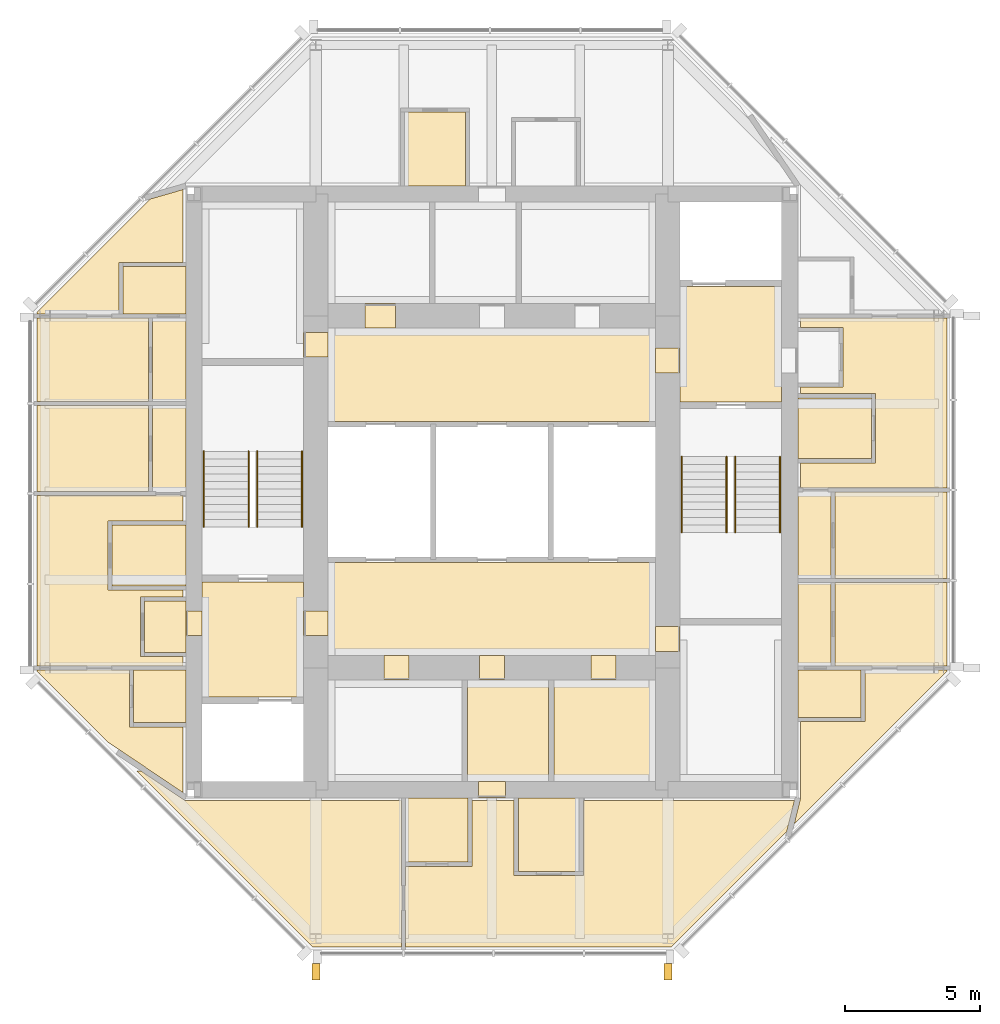
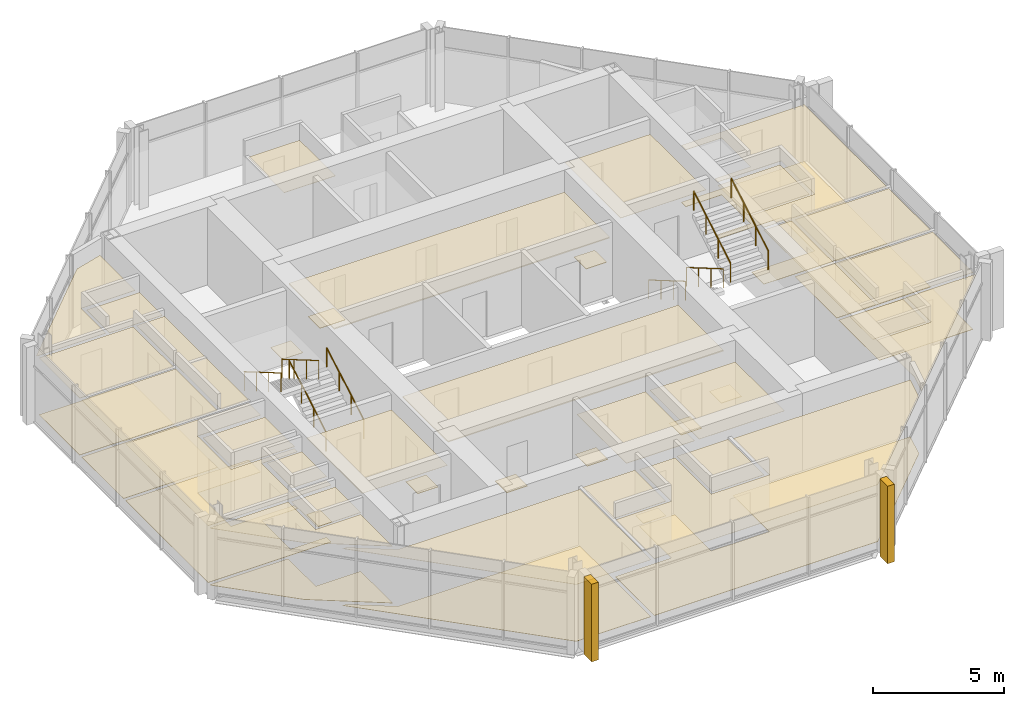
# One storey, part 8 of 9: 49 coverings, 8 railings.
"""IFC4 building model written with IfcOpenShell, lengths in metres."""

from ifc_helpers import new_model, si_unit, direction, frame, origin, origin_2d, place, context, subcontext, project, spatial, polyline, rectangle, circle, outline, extrude, material, layer, layer_set, type_object, element, save


model = new_model("IFC4")

# Units and contexts
model_context = context("Model", 3, precision=1e-05, world=origin(), true_north=direction((0.0, 1.0)))
body_context = subcontext(model_context, "Body", "Model", "MODEL_VIEW")
ifc_project = project(units=[si_unit("LENGTHUNIT", "METRE"), si_unit("AREAUNIT", "SQUARE_METRE"), si_unit("VOLUMEUNIT", "CUBIC_METRE"), si_unit("PLANEANGLEUNIT", "RADIAN"), si_unit("MASSUNIT", "GRAM", prefix="KILO")], contexts=[model_context])

# Site, building, storey
site_placement = place(None, origin())
site = spatial("IfcSite", under=ifc_project, at=site_placement, CompositionType="ELEMENT")
building_placement = place(site_placement, origin())
building = spatial("IfcBuilding", under=site, at=building_placement, Name="Trevanion Tower", CompositionType="ELEMENT")
storey_placement = place(building_placement, frame((0.0, 0.0, 288.39990234375)))
storey = spatial("IfcBuildingStorey", under=building, at=storey_placement, Name="L71", CompositionType="ELEMENT", Elevation=288.39990234375)

# Coverings
ifc_material_1 = material(Name="Fibrous plaster coffers on suspended steel grid", Category="steel")
ifc_layer_1 = layer(ifc_material_1, 0.050048828125)
ifc_layer_set_1 = layer_set([ifc_layer_1], Name="CL1 coffered fibrous plaster ceiling 50")
covering_type_1 = type_object("IfcCoveringType", Name="CL1 coffered fibrous plaster ceiling 50", PredefinedType="CEILING", material=ifc_layer_set_1)
covering_1_placement = place(storey_placement, frame((0.0, 0.0, 2.530029296875)))
element("IfcCovering", 1, at=covering_1_placement, inside=storey, type_object=covering_type_1, Name="CL1 L71-LBN", PredefinedType="CEILING", context=body_context, shape_type="SweptSolid", body=[
    extrude(outline(polyline([(6.050048828125, 2.60009765625), (6.050048828125, 6.050048828125), (-6.050048828125, 6.050048828125), (-6.050048828125, 2.60009765625), (6.050048828125, 2.60009765625)])), origin(), (0.0, 0.0, 1.0), 0.050048828125),
])
covering_2_placement = place(storey_placement, frame((0.0, 0.0, 2.530029296875)))
element("IfcCovering", 2, at=covering_2_placement, inside=storey, type_object=covering_type_1, Name="CL1 L71-LBS", PredefinedType="CEILING", context=body_context, shape_type="SweptSolid", body=[
    extrude(outline(polyline([(6.050048828125, -6.050048828125), (6.050048828125, -2.60009765625), (-6.050048828125, -2.60009765625), (-6.050048828125, -6.050048828125), (6.050048828125, -6.050048828125)])), origin(), (0.0, 0.0, 1.0), 0.050048828125),
])
ifc_material_2 = material(Name="Mineral fibre acoustic tiles in exposed grid", Category="mineral fibre")
ifc_layer_2 = layer(ifc_material_2, 0.02001953125)
ifc_layer_set_2 = layer_set([ifc_layer_2], Name="CL2 acoustic tile ceiling 20")
covering_type_2 = type_object("IfcCoveringType", Name="CL2 acoustic tile ceiling 20", PredefinedType="CEILING", material=ifc_layer_set_2)
covering_3_placement = place(storey_placement, frame((0.0, 0.0, 2.56005859375)))
element("IfcCovering", 3, at=covering_3_placement, inside=storey, type_object=covering_type_2, Name="CL2 L71-CSC", PredefinedType="CEILING", context=body_context, shape_type="SweptSolid", body=[
    extrude(outline(polyline([(2.10009765625, -10.699951171875), (2.10009765625, -6.949951171875), (-0.89990234375, -6.949951171875), (-0.89990234375, -10.699951171875), (2.10009765625, -10.699951171875)])), origin(), (0.0, 0.0, 1.0), 0.02001953125),
])
ifc_material_3 = material(Name="Gypsum plasterboard on suspended metal furring", Category="gypsum")
ifc_layer_3 = layer(ifc_material_3, 0.012939453125)
ifc_layer_set_3 = layer_set([ifc_layer_3], Name="CL3 plasterboard ceiling 13")
covering_type_3 = type_object("IfcCoveringType", Name="CL3 plasterboard ceiling 13", PredefinedType="CEILING", material=ifc_layer_set_3)
covering_4_placement = place(storey_placement, frame((0.0, 0.0, 2.7001953125)))
element("IfcCovering", 4, at=covering_4_placement, inside=storey, type_object=covering_type_3, Name="CL3 L71-FV1", PredefinedType="CEILING", context=body_context, shape_type="SweptSolid", body=[
    extrude(outline(polyline([(10.699951171875, 3.324951171875), (10.699951171875, 7.574951171875), (6.949951171875, 7.574951171875), (6.949951171875, 3.324951171875), (10.699951171875, 3.324951171875)])), origin(), (0.0, 0.0, 1.0), 0.012939453125),
])
covering_5_placement = place(storey_placement, frame((0.0, 0.0, 2.7001953125)))
element("IfcCovering", 5, at=covering_5_placement, inside=storey, type_object=covering_type_3, Name="CL3 L71-FV2", PredefinedType="CEILING", context=body_context, shape_type="SweptSolid", body=[
    extrude(outline(polyline([(-10.699951171875, -3.324951171875), (-10.699951171875, -7.574951171875), (-6.949951171875, -7.574951171875), (-6.949951171875, -3.324951171875), (-10.699951171875, -3.324951171875)])), origin(), (0.0, 0.0, 1.0), 0.012939453125),
])
covering_6_placement = place(storey_placement, frame((0.0, 0.0, 2.567138671875)))
element("IfcCovering", 6, at=covering_6_placement, inside=storey, type_object=covering_type_3, Name="CL3 L71-RSS", PredefinedType="CEILING", context=body_context, shape_type="SweptSolid", body=[
    extrude(outline(polyline([(6.050048828125, -10.699951171875), (6.050048828125, -6.949951171875), (2.300048828125, -6.949951171875), (2.300048828125, -10.699951171875), (6.050048828125, -10.699951171875)])), origin(), (0.0, 0.0, 1.0), 0.012939453125),
])
covering_7_placement = place(storey_placement, frame((0.0, 0.0, 2.64599609375)))
element("IfcCovering", 7, at=covering_7_placement, inside=storey, type_object=covering_type_3, Name="CL3 L71-REH", PredefinedType="CEILING", context=body_context, shape_type="SweptSolid", body=[
    extrude(outline(polyline([(12.52490234375, -6.425048828125), (12.52490234375, -0.010009765625), (11.300048828125, -0.010009765625), (11.300048828125, -6.425048828125), (12.52490234375, -6.425048828125)])), origin(), (0.0, 0.0, 1.0), 0.01318359375),
])
covering_8_placement = place(storey_placement, frame((0.0, 0.0, 2.64111328125)))
element("IfcCovering", 8, at=covering_8_placement, inside=storey, type_object=covering_type_3, Name="CL3 L71-RED", PredefinedType="CEILING", context=body_context, shape_type="SweptSolid", body=[
    extrude(outline(polyline([(11.16552734375, -12.2587890625), (11.39990234375, -11.312255859375), (11.39990234375, -8.47509765625), (13.77490234375, -8.47509765625), (13.77490234375, -6.574951171875), (16.800048828125, -6.574951171875), (16.800048828125, -6.624267578125), (11.16552734375, -12.2587890625)])), origin(), (0.0, 0.0, 1.0), 0.012939453125),
])
covering_9_placement = place(storey_placement, frame((0.0, 0.0, 2.64111328125)))
element("IfcCovering", 9, at=covering_9_placement, inside=storey, type_object=covering_type_3, Name="CL3 L71-REB", PredefinedType="CEILING", context=body_context, shape_type="SweptSolid", body=[
    extrude(outline(polyline([(12.675048828125, -6.425048828125), (12.675048828125, -3.341064453125), (16.800048828125, -3.341064453125), (16.800048828125, -6.425048828125), (12.675048828125, -6.425048828125)])), origin(), (0.0, 0.0, 1.0), 0.012939453125),
])
covering_10_placement = place(storey_placement, frame((0.0, 0.0, 2.64599609375)))
element("IfcCovering", 10, at=covering_10_placement, inside=storey, type_object=covering_type_3, Name="CL3 L71-REB2", PredefinedType="CEILING", context=body_context, shape_type="SweptSolid", body=[
    extrude(outline(polyline([(12.675048828125, -3.19091796875), (12.675048828125, -0.010009765625), (16.800048828125, -0.010009765625), (16.800048828125, -3.19091796875), (12.675048828125, -3.19091796875)])), origin(), (0.0, 0.0, 1.0), 0.01318359375),
])
covering_11_placement = place(storey_placement, frame((0.0, 0.0, 2.64111328125)))
element("IfcCovering", 11, at=covering_11_placement, inside=storey, type_object=covering_type_3, Name="CL3 L71-REL", PredefinedType="CEILING", context=body_context, shape_type="SweptSolid", body=[
    extrude(outline(polyline([(11.39990234375, 0.139892578125), (11.39990234375, 1.074951171875), (14.175048828125, 1.074951171875), (14.175048828125, 3.625), (11.39990234375, 3.625), (11.39990234375, 3.875), (12.97509765625, 3.875), (12.97509765625, 6.074951171875), (11.39990234375, 6.074951171875), (11.39990234375, 6.425048828125), (16.800048828125, 6.425048828125), (16.800048828125, 0.139892578125), (11.39990234375, 0.139892578125)])), origin(), (0.0, 0.0, 1.0), 0.012939453125),
])
covering_12_placement = place(storey_placement, frame((0.0, 0.0, 2.7001953125)))
element("IfcCovering", 12, at=covering_12_placement, inside=storey, type_object=covering_type_3, Name="CL3 L71-RWE", PredefinedType="CEILING", context=body_context, shape_type="SweptSolid", body=[
    extrude(outline(polyline([(-12.824951171875, -4.02490234375), (-12.824951171875, -5.925048828125), (-11.300048828125, -5.925048828125), (-11.300048828125, -4.02490234375), (-12.824951171875, -4.02490234375)])), origin(), (0.0, 0.0, 1.0), 0.012939453125),
])
covering_13_placement = place(storey_placement, frame((0.0, 0.0, 2.64599609375)))
element("IfcCovering", 13, at=covering_13_placement, inside=storey, type_object=covering_type_3, Name="CL3 L71-RWH", PredefinedType="CEILING", context=body_context, shape_type="SweptSolid", body=[
    extrude(outline(polyline([(-12.52490234375, 6.425048828125), (-12.52490234375, 0.010009765625), (-11.300048828125, 0.010009765625), (-11.300048828125, 6.425048828125), (-12.52490234375, 6.425048828125)])), origin(), (0.0, 0.0, 1.0), 0.01318359375),
])
covering_14_placement = place(storey_placement, frame((0.0, 0.0, 2.64111328125)))
element("IfcCovering", 14, at=covering_14_placement, inside=storey, type_object=covering_type_3, Name="CL3 L71-RWD", PredefinedType="CEILING", context=body_context, shape_type="SweptSolid", body=[
    extrude(outline(polyline([(-12.606689453125, 10.817626953125), (-11.39990234375, 11.1669921875), (-11.39990234375, 8.47509765625), (-13.77490234375, 8.47509765625), (-13.77490234375, 6.574951171875), (-16.800048828125, 6.574951171875), (-16.800048828125, 6.624267578125), (-12.606689453125, 10.817626953125)])), origin(), (0.0, 0.0, 1.0), 0.012939453125),
])
covering_15_placement = place(storey_placement, frame((0.0, 0.0, 2.64111328125)))
element("IfcCovering", 15, at=covering_15_placement, inside=storey, type_object=covering_type_3, Name="CL3 L71-RWB", PredefinedType="CEILING", context=body_context, shape_type="SweptSolid", body=[
    extrude(outline(polyline([(-12.675048828125, 6.425048828125), (-12.675048828125, 3.341064453125), (-16.800048828125, 3.341064453125), (-16.800048828125, 6.425048828125), (-12.675048828125, 6.425048828125)])), origin(), (0.0, 0.0, 1.0), 0.012939453125),
])
covering_16_placement = place(storey_placement, frame((0.0, 0.0, 2.64599609375)))
element("IfcCovering", 16, at=covering_16_placement, inside=storey, type_object=covering_type_3, Name="CL3 L71-RWB2", PredefinedType="CEILING", context=body_context, shape_type="SweptSolid", body=[
    extrude(outline(polyline([(-12.675048828125, 3.19091796875), (-12.675048828125, 0.010009765625), (-16.800048828125, 0.010009765625), (-16.800048828125, 3.19091796875), (-12.675048828125, 3.19091796875)])), origin(), (0.0, 0.0, 1.0), 0.01318359375),
])
covering_17_placement = place(storey_placement, frame((0.0, 0.0, 2.64111328125)))
element("IfcCovering", 17, at=covering_17_placement, inside=storey, type_object=covering_type_3, Name="CL3 L71-RWL", PredefinedType="CEILING", context=body_context, shape_type="SweptSolid", body=[
    extrude(outline(polyline([(-11.39990234375, -0.139892578125), (-11.39990234375, -1.074951171875), (-14.175048828125, -1.074951171875), (-14.175048828125, -3.625), (-11.39990234375, -3.625), (-11.39990234375, -3.875), (-12.97509765625, -3.875), (-12.97509765625, -6.074951171875), (-11.39990234375, -6.074951171875), (-11.39990234375, -6.425048828125), (-16.800048828125, -6.425048828125), (-16.800048828125, -0.139892578125), (-11.39990234375, -0.139892578125)])), origin(), (0.0, 0.0, 1.0), 0.012939453125),
])
covering_18_placement = place(storey_placement, frame((0.0, 0.0, 2.64111328125)))
element("IfcCovering", 18, at=covering_18_placement, inside=storey, type_object=covering_type_3, Name="CL3 L71-RWB3", PredefinedType="CEILING", context=body_context, shape_type="SweptSolid", body=[
    extrude(outline(polyline([(-13.375, -6.574951171875), (-13.375, -8.675048828125), (-11.39990234375, -8.675048828125), (-11.39990234375, -11.112060546875), (-14.197021484375, -9.227294921875), (-16.800048828125, -6.624267578125), (-16.800048828125, -6.574951171875), (-13.375, -6.574951171875)])), origin(), (0.0, 0.0, 1.0), 0.012939453125),
])
covering_19_placement = place(storey_placement, frame((0.0, 0.0, 2.64111328125)))
element("IfcCovering", 19, at=covering_19_placement, inside=storey, type_object=covering_type_3, Name="CL3 L71-RSB", PredefinedType="CEILING", context=body_context, shape_type="SweptSolid", body=[
    extrude(outline(polyline([(-12.962890625, -10.300048828125), (-11.33056640625, -11.39990234375), (-3.341064453125, -11.39990234375), (-3.341064453125, -16.800048828125), (-6.624267578125, -16.800048828125), (-13.124267578125, -10.300048828125), (-12.962890625, -10.300048828125)])), origin(), (0.0, 0.0, 1.0), 0.012939453125),
])
covering_20_placement = place(storey_placement, frame((0.0, 0.0, 2.64111328125)))
element("IfcCovering", 20, at=covering_20_placement, inside=storey, type_object=covering_type_3, Name="CL3 L71-RSL", PredefinedType="CEILING", context=body_context, shape_type="SweptSolid", body=[
    extrude(outline(polyline([(10.8916015625, -12.53271484375), (6.624267578125, -16.800048828125), (-3.19091796875, -16.800048828125), (-3.19091796875, -13.824951171875), (-0.72509765625, -13.824951171875), (-0.72509765625, -11.39990234375), (0.824951171875, -11.39990234375), (0.824951171875, -14.175048828125), (3.375, -14.175048828125), (3.375, -11.39990234375), (11.172119140625, -11.39990234375), (10.8916015625, -12.53271484375)])), origin(), (0.0, 0.0, 1.0), 0.012939453125),
])
ifc_material_4 = material(Name="Moisture-resistant gypsum board on suspended metal furring", Category="gypsum")
ifc_layer_4 = layer(ifc_material_4, 0.01611328125)
ifc_layer_set_4 = layer_set([ifc_layer_4], Name="CL4 moisture-resistant board ceiling 16")
covering_type_4 = type_object("IfcCoveringType", Name="CL4 moisture-resistant board ceiling 16", PredefinedType="CEILING", material=ifc_layer_set_4)
covering_21_placement = place(storey_placement, frame((0.0, 0.0, 2.60009765625)))
element("IfcCovering", 21, at=covering_21_placement, inside=storey, type_object=covering_type_4, Name="CL4 L71-REK", PredefinedType="CEILING", context=body_context, shape_type="SweptSolid", body=[
    extrude(outline(polyline([(14.02490234375, 1.22509765625), (14.02490234375, 3.47509765625), (11.300048828125, 3.47509765625), (11.300048828125, 1.22509765625), (14.02490234375, 1.22509765625)])), origin(), (0.0, 0.0, 1.0), 0.01611328125),
])
covering_22_placement = place(storey_placement, frame((0.0, 0.0, 2.60009765625)))
element("IfcCovering", 22, at=covering_22_placement, inside=storey, type_object=covering_type_4, Name="CL4 L71-RET", PredefinedType="CEILING", context=body_context, shape_type="SweptSolid", body=[
    extrude(outline(polyline([(13.625, -8.324951171875), (13.625, -6.574951171875), (11.300048828125, -6.574951171875), (11.300048828125, -8.324951171875), (13.625, -8.324951171875)])), origin(), (0.0, 0.0, 1.0), 0.01611328125),
])
covering_23_placement = place(storey_placement, frame((0.0, 0.0, 2.60009765625)))
element("IfcCovering", 23, at=covering_23_placement, inside=storey, type_object=covering_type_4, Name="CL4 L71-RNK", PredefinedType="CEILING", context=body_context, shape_type="SweptSolid", body=[
    extrude(outline(polyline([(-0.97509765625, 14.02490234375), (-3.22509765625, 14.02490234375), (-3.22509765625, 11.300048828125), (-0.97509765625, 11.300048828125), (-0.97509765625, 14.02490234375)])), origin(), (0.0, 0.0, 1.0), 0.01611328125),
])
covering_24_placement = place(storey_placement, frame((0.0, 0.0, 2.60009765625)))
element("IfcCovering", 24, at=covering_24_placement, inside=storey, type_object=covering_type_4, Name="CL4 L71-RWK", PredefinedType="CEILING", context=body_context, shape_type="SweptSolid", body=[
    extrude(outline(polyline([(-14.02490234375, -1.22509765625), (-14.02490234375, -3.47509765625), (-11.300048828125, -3.47509765625), (-11.300048828125, -1.22509765625), (-14.02490234375, -1.22509765625)])), origin(), (0.0, 0.0, 1.0), 0.01611328125),
])
covering_25_placement = place(storey_placement, frame((0.0, 0.0, 2.60009765625)))
element("IfcCovering", 25, at=covering_25_placement, inside=storey, type_object=covering_type_4, Name="CL4 L71-RWW", PredefinedType="CEILING", context=body_context, shape_type="SweptSolid", body=[
    extrude(outline(polyline([(-13.22509765625, -6.574951171875), (-13.22509765625, -8.52490234375), (-11.300048828125, -8.52490234375), (-11.300048828125, -6.574951171875), (-13.22509765625, -6.574951171875)])), origin(), (0.0, 0.0, 1.0), 0.01611328125),
])
covering_26_placement = place(storey_placement, frame((0.0, 0.0, 2.60009765625)))
element("IfcCovering", 26, at=covering_26_placement, inside=storey, type_object=covering_type_4, Name="CL4 L71-RWT", PredefinedType="CEILING", context=body_context, shape_type="SweptSolid", body=[
    extrude(outline(polyline([(-13.625, 8.324951171875), (-13.625, 6.574951171875), (-11.300048828125, 6.574951171875), (-11.300048828125, 8.324951171875), (-13.625, 8.324951171875)])), origin(), (0.0, 0.0, 1.0), 0.01611328125),
])
covering_27_placement = place(storey_placement, frame((0.0, 0.0, 2.60009765625)))
element("IfcCovering", 27, at=covering_27_placement, inside=storey, type_object=covering_type_4, Name="CL4 L71-RSK", PredefinedType="CEILING", context=body_context, shape_type="SweptSolid", body=[
    extrude(outline(polyline([(0.97509765625, -14.02490234375), (3.22509765625, -14.02490234375), (3.22509765625, -11.300048828125), (0.97509765625, -11.300048828125), (0.97509765625, -14.02490234375)])), origin(), (0.0, 0.0, 1.0), 0.01611328125),
])
covering_28_placement = place(storey_placement, frame((0.0, 0.0, 2.60009765625)))
element("IfcCovering", 28, at=covering_28_placement, inside=storey, type_object=covering_type_4, Name="CL4 L71-RST", PredefinedType="CEILING", context=body_context, shape_type="SweptSolid", body=[
    extrude(outline(polyline([(-3.19091796875, -13.675048828125), (-0.875, -13.675048828125), (-0.875, -11.300048828125), (-3.19091796875, -11.300048828125), (-3.19091796875, -13.675048828125)])), origin(), (0.0, 0.0, 1.0), 0.01611328125),
])
ifc_material_5 = material(Name="Cast bronze fin on aluminium carrier", Category="aluminium")
covering_type_5 = type_object("IfcCoveringType", Name="F1 bronze fin", PredefinedType="CLADDING", material=ifc_material_5)
for number, where, z_axis, x_axis, name in (
    (29, (-6.5, -17.72509765625, -0.18994140625), (0.0, 0.0, 1.0), (1.0, 0.0, 0.0), "F1 L71 south -6.5"),
    (30, (6.5, -17.72509765625, -0.18994140625), (0.0, 0.0, 1.0), (1.0, 0.0, 0.0), "F1 L71 south +6.5"),
):
    element("IfcCovering", number, at=place(storey_placement, frame(where, z_axis=z_axis, x_axis=x_axis)), inside=storey, type_object=covering_type_5, Name=name, PredefinedType="CLADDING", context=body_context, shape_type="SweptSolid", body=[
        extrude(rectangle(XDim=0.300048828125, YDim=0.60009765625, at=origin_2d()), origin(), (0.0, 0.0, 1.0), 3.60009765625),
    ])
ifc_material_6 = material(Name="Terrazzo, brass divider strips", Category="stone")
ifc_layer_5 = layer(ifc_material_6, 0.02001953125)
ifc_layer_set_5 = layer_set([ifc_layer_5], Name="FF1 terrazzo flooring")
covering_type_6 = type_object("IfcCoveringType", Name="FF1 terrazzo flooring", PredefinedType="FLOORING", material=ifc_layer_set_5)
covering_29_placement = place(storey_placement, origin())
element("IfcCovering", 31, at=covering_29_placement, inside=storey, type_object=covering_type_6, Name="FF1 threshold 71-002", PredefinedType="FLOORING", context=body_context, shape_type="SweptSolid", body=[
    extrude(outline(polyline([(-11.300048828125, -4.392578125), (-11.300048828125, -5.3076171875), (-10.699951171875, -5.3076171875), (-10.699951171875, -4.392578125), (-11.300048828125, -4.392578125)])), origin(), (0.0, 0.0, 1.0), 0.02001953125),
])
covering_30_placement = place(storey_placement, origin())
element("IfcCovering", 32, at=covering_30_placement, inside=storey, type_object=covering_type_6, Name="FF1 threshold 71-003", PredefinedType="FLOORING", context=body_context, shape_type="SweptSolid", body=[
    extrude(outline(polyline([(6.949951171875, 4.392578125), (6.949951171875, 5.3076171875), (6.050048828125, 5.3076171875), (6.050048828125, 4.392578125), (6.949951171875, 4.392578125)])), origin(), (0.0, 0.0, 1.0), 0.02001953125),
])
covering_31_placement = place(storey_placement, origin())
element("IfcCovering", 33, at=covering_31_placement, inside=storey, type_object=covering_type_6, Name="FF1 threshold 71-004", PredefinedType="FLOORING", context=body_context, shape_type="SweptSolid", body=[
    extrude(outline(polyline([(-6.949951171875, -4.392578125), (-6.949951171875, -5.3076171875), (-6.050048828125, -5.3076171875), (-6.050048828125, -4.392578125), (-6.949951171875, -4.392578125)])), origin(), (0.0, 0.0, 1.0), 0.02001953125),
])
covering_32_placement = place(storey_placement, origin())
element("IfcCovering", 34, at=covering_32_placement, inside=storey, type_object=covering_type_6, Name="FF1 threshold 71-009", PredefinedType="FLOORING", context=body_context, shape_type="SweptSolid", body=[
    extrude(outline(polyline([(6.949951171875, -5.889892578125), (6.949951171875, -4.97509765625), (6.050048828125, -4.97509765625), (6.050048828125, -5.889892578125), (6.949951171875, -5.889892578125)])), origin(), (0.0, 0.0, 1.0), 0.02001953125),
])
covering_33_placement = place(storey_placement, origin())
element("IfcCovering", 35, at=covering_33_placement, inside=storey, type_object=covering_type_6, Name="FF1 threshold 71-010", PredefinedType="FLOORING", context=body_context, shape_type="SweptSolid", body=[
    extrude(outline(polyline([(-6.949951171875, 5.889892578125), (-6.949951171875, 4.97509765625), (-6.050048828125, 4.97509765625), (-6.050048828125, 5.889892578125), (-6.949951171875, 5.889892578125)])), origin(), (0.0, 0.0, 1.0), 0.02001953125),
])
covering_34_placement = place(storey_placement, origin())
element("IfcCovering", 36, at=covering_34_placement, inside=storey, type_object=covering_type_6, Name="FF1 threshold 71-019", PredefinedType="FLOORING", context=body_context, shape_type="SweptSolid", body=[
    extrude(outline(polyline([(-3.56591796875, 6.949951171875), (-4.68408203125, 6.949951171875), (-4.68408203125, 6.050048828125), (-3.56591796875, 6.050048828125), (-3.56591796875, 6.949951171875)])), origin(), (0.0, 0.0, 1.0), 0.02001953125),
])
covering_35_placement = place(storey_placement, origin())
element("IfcCovering", 37, at=covering_35_placement, inside=storey, type_object=covering_type_6, Name="FF1 threshold 71-021", PredefinedType="FLOORING", context=body_context, shape_type="SweptSolid", body=[
    extrude(outline(polyline([(-0.45751953125, -6.949951171875), (0.45751953125, -6.949951171875), (0.45751953125, -6.050048828125), (-0.45751953125, -6.050048828125), (-0.45751953125, -6.949951171875)])), origin(), (0.0, 0.0, 1.0), 0.02001953125),
])
covering_36_placement = place(storey_placement, origin())
element("IfcCovering", 38, at=covering_36_placement, inside=storey, type_object=covering_type_6, Name="FF1 threshold 71-022", PredefinedType="FLOORING", context=body_context, shape_type="SweptSolid", body=[
    extrude(outline(polyline([(-0.5, -11.300048828125), (0.5, -11.300048828125), (0.5, -10.699951171875), (-0.5, -10.699951171875), (-0.5, -11.300048828125)])), origin(), (0.0, 0.0, 1.0), 0.02001953125),
])
covering_37_placement = place(storey_placement, origin())
element("IfcCovering", 39, at=covering_37_placement, inside=storey, type_object=covering_type_6, Name="FF1 threshold 71-023", PredefinedType="FLOORING", context=body_context, shape_type="SweptSolid", body=[
    extrude(outline(polyline([(-3.982421875, -6.949951171875), (-3.0673828125, -6.949951171875), (-3.0673828125, -6.050048828125), (-3.982421875, -6.050048828125), (-3.982421875, -6.949951171875)])), origin(), (0.0, 0.0, 1.0), 0.02001953125),
])
covering_38_placement = place(storey_placement, origin())
element("IfcCovering", 40, at=covering_38_placement, inside=storey, type_object=covering_type_6, Name="FF1 threshold 71-024", PredefinedType="FLOORING", context=body_context, shape_type="SweptSolid", body=[
    extrude(outline(polyline([(3.66748046875, -6.949951171875), (4.58251953125, -6.949951171875), (4.58251953125, -6.050048828125), (3.66748046875, -6.050048828125), (3.66748046875, -6.949951171875)])), origin(), (0.0, 0.0, 1.0), 0.02001953125),
])
ifc_material_7 = material(Name="Engineered oak", Category="wood")
ifc_layer_6 = layer(ifc_material_7, 0.014892578125)
ifc_layer_set_6 = layer_set([ifc_layer_6], Name="FF3 timber flooring")
covering_type_7 = type_object("IfcCoveringType", Name="FF3 timber flooring", PredefinedType="FLOORING", material=ifc_layer_set_6)
covering_39_placement = place(storey_placement, origin())
element("IfcCovering", 41, at=covering_39_placement, inside=storey, type_object=covering_type_7, Name="FF3 L71-REB", PredefinedType="FLOORING", context=body_context, shape_type="SweptSolid", body=[
    extrude(outline(polyline([(12.675048828125, -6.425048828125), (12.675048828125, -3.341064453125), (16.800048828125, -3.341064453125), (16.800048828125, -6.425048828125), (12.675048828125, -6.425048828125)])), origin(), (0.0, 0.0, 1.0), 0.01513671875),
])
covering_40_placement = place(storey_placement, origin())
element("IfcCovering", 42, at=covering_40_placement, inside=storey, type_object=covering_type_7, Name="FF3 L71-REB2", PredefinedType="FLOORING", context=body_context, shape_type="SweptSolid", body=[
    extrude(outline(polyline([(12.675048828125, -3.19091796875), (12.675048828125, -0.010009765625), (16.800048828125, -0.010009765625), (16.800048828125, -3.19091796875), (12.675048828125, -3.19091796875)])), origin(), (0.0, 0.0, 1.0), 0.01513671875),
])
covering_41_placement = place(storey_placement, origin())
element("IfcCovering", 43, at=covering_41_placement, inside=storey, type_object=covering_type_7, Name="FF3 L71-REL", PredefinedType="FLOORING", context=body_context, shape_type="SweptSolid", body=[
    extrude(outline(polyline([(11.39990234375, 0.139892578125), (11.39990234375, 1.074951171875), (14.175048828125, 1.074951171875), (14.175048828125, 3.625), (11.39990234375, 3.625), (11.39990234375, 3.875), (12.97509765625, 3.875), (12.97509765625, 6.074951171875), (11.39990234375, 6.074951171875), (11.39990234375, 6.425048828125), (16.800048828125, 6.425048828125), (16.800048828125, 0.139892578125), (11.39990234375, 0.139892578125)])), origin(), (0.0, 0.0, 1.0), 0.01513671875),
])
covering_42_placement = place(storey_placement, origin())
element("IfcCovering", 44, at=covering_42_placement, inside=storey, type_object=covering_type_7, Name="FF3 L71-RWB", PredefinedType="FLOORING", context=body_context, shape_type="SweptSolid", body=[
    extrude(outline(polyline([(-12.675048828125, 6.425048828125), (-12.675048828125, 3.341064453125), (-16.800048828125, 3.341064453125), (-16.800048828125, 6.425048828125), (-12.675048828125, 6.425048828125)])), origin(), (0.0, 0.0, 1.0), 0.01513671875),
])
covering_43_placement = place(storey_placement, origin())
element("IfcCovering", 45, at=covering_43_placement, inside=storey, type_object=covering_type_7, Name="FF3 L71-RWB2", PredefinedType="FLOORING", context=body_context, shape_type="SweptSolid", body=[
    extrude(outline(polyline([(-12.675048828125, 3.19091796875), (-12.675048828125, 0.010009765625), (-16.800048828125, 0.010009765625), (-16.800048828125, 3.19091796875), (-12.675048828125, 3.19091796875)])), origin(), (0.0, 0.0, 1.0), 0.01513671875),
])
covering_44_placement = place(storey_placement, origin())
element("IfcCovering", 46, at=covering_44_placement, inside=storey, type_object=covering_type_7, Name="FF3 L71-RWL", PredefinedType="FLOORING", context=body_context, shape_type="SweptSolid", body=[
    extrude(outline(polyline([(-11.39990234375, -0.139892578125), (-11.39990234375, -1.074951171875), (-14.175048828125, -1.074951171875), (-14.175048828125, -3.625), (-11.39990234375, -3.625), (-11.39990234375, -3.875), (-12.97509765625, -3.875), (-12.97509765625, -6.074951171875), (-11.39990234375, -6.074951171875), (-11.39990234375, -6.425048828125), (-16.800048828125, -6.425048828125), (-16.800048828125, -0.139892578125), (-11.39990234375, -0.139892578125)])), origin(), (0.0, 0.0, 1.0), 0.01513671875),
])
covering_45_placement = place(storey_placement, origin())
element("IfcCovering", 47, at=covering_45_placement, inside=storey, type_object=covering_type_7, Name="FF3 L71-RWB3", PredefinedType="FLOORING", context=body_context, shape_type="SweptSolid", body=[
    extrude(outline(polyline([(-13.375, -6.574951171875), (-13.375, -8.675048828125), (-11.39990234375, -8.675048828125), (-11.39990234375, -11.112060546875), (-14.197021484375, -9.227294921875), (-16.800048828125, -6.624267578125), (-16.800048828125, -6.574951171875), (-13.375, -6.574951171875)])), origin(), (0.0, 0.0, 1.0), 0.01513671875),
])
covering_46_placement = place(storey_placement, origin())
element("IfcCovering", 48, at=covering_46_placement, inside=storey, type_object=covering_type_7, Name="FF3 L71-RSB", PredefinedType="FLOORING", context=body_context, shape_type="SweptSolid", body=[
    extrude(outline(polyline([(-12.962890625, -10.300048828125), (-11.33056640625, -11.39990234375), (-3.341064453125, -11.39990234375), (-3.341064453125, -16.800048828125), (-6.624267578125, -16.800048828125), (-13.124267578125, -10.300048828125), (-12.962890625, -10.300048828125)])), origin(), (0.0, 0.0, 1.0), 0.01513671875),
])
covering_47_placement = place(storey_placement, origin())
element("IfcCovering", 49, at=covering_47_placement, inside=storey, type_object=covering_type_7, Name="FF3 L71-RSL", PredefinedType="FLOORING", context=body_context, shape_type="SweptSolid", body=[
    extrude(outline(polyline([(10.8916015625, -12.53271484375), (6.624267578125, -16.800048828125), (-3.19091796875, -16.800048828125), (-3.19091796875, -13.824951171875), (-0.72509765625, -13.824951171875), (-0.72509765625, -11.39990234375), (0.824951171875, -11.39990234375), (0.824951171875, -14.175048828125), (3.375, -14.175048828125), (3.375, -11.39990234375), (11.172119140625, -11.39990234375), (10.8916015625, -12.53271484375)])), origin(), (0.0, 0.0, 1.0), 0.01513671875),
])

# Railings
ifc_material_8 = material(Name="Stainless steel tube 40 mm", Category="steel")
railing_type = type_object("IfcRailingType", Name="HR1 handrail", PredefinedType="HANDRAIL", material=ifc_material_8)
for number, where, name in (
    (50, (7.010009765625, 1.300048828125, 0.163818359375), "HR1 ST1 L71 flight 1"),
    (51, (8.6650390625, 1.300048828125, 0.163818359375), "HR1 ST1 L71 flight 1"),
):
    element("IfcRailing", number, at=place(storey_placement, frame(where)), inside=storey, type_object=railing_type, Name=name, PredefinedType="HANDRAIL", context=body_context, shape_type="SweptSolid", body=[
        extrude(circle(Radius=0.02001953125, at=origin_2d()), frame((0.0, 0.0, 0.8798828125), z_axis=(0.0, -0.863393664356, 0.504530851732), x_axis=(1.0, 0.0, 0.0)), (0.0, 0.0, 1.0), 3.2431640625),
        extrude(circle(Radius=0.01513671875, at=origin_2d()), origin(), (0.0, 0.0, 1.0), 0.85986328125),
        extrude(circle(Radius=0.01513671875, at=origin_2d()), frame((0.0, -0.933349609375, 0.54541015625)), (0.0, 0.0, 1.0), 0.85986328125),
        extrude(circle(Radius=0.01513671875, at=origin_2d()), frame((0.0, -1.86669921875, 1.0908203125)), (0.0, 0.0, 1.0), 0.85986328125),
        extrude(circle(Radius=0.01513671875, at=origin_2d()), frame((0.0, -2.800048828125, 1.63623046875)), (0.0, 0.0, 1.0), 0.85986328125),
    ])
for number, where, name in (
    (52, (8.985107421875, -1.5, 1.963623046875), "HR1 ST1 L71 flight 2"),
    (53, (10.639892578125, -1.5, 1.963623046875), "HR1 ST1 L71 flight 2"),
):
    element("IfcRailing", number, at=place(storey_placement, frame(where)), inside=storey, type_object=railing_type, Name=name, PredefinedType="HANDRAIL", context=body_context, shape_type="SweptSolid", body=[
        extrude(circle(Radius=0.02001953125, at=origin_2d()), frame((0.0, 0.0, 0.8798828125), z_axis=(0.0, 0.863360870873, 0.504586966384), x_axis=(-1.0, 0.0, 0.0)), (0.0, 0.0, 1.0), 3.2431640625),
        extrude(circle(Radius=0.01513671875, at=origin_2d()), origin(), (0.0, 0.0, 1.0), 0.85986328125),
        extrude(circle(Radius=0.01513671875, at=origin_2d()), frame((0.0, 0.933349609375, 0.54541015625)), (0.0, 0.0, 1.0), 0.85986328125),
        extrude(circle(Radius=0.01513671875, at=origin_2d()), frame((0.0, 1.86669921875, 1.091064453125)), (0.0, 0.0, 1.0), 0.85986328125),
        extrude(circle(Radius=0.01513671875, at=origin_2d()), frame((0.0, 2.800048828125, 1.636474609375)), (0.0, 0.0, 1.0), 0.85986328125),
    ])
for number, where, name in (
    (54, (-7.010009765625, -1.300048828125, 0.163818359375), "HR1 ST2 L71 flight 1"),
    (55, (-8.6650390625, -1.300048828125, 0.163818359375), "HR1 ST2 L71 flight 1"),
):
    element("IfcRailing", number, at=place(storey_placement, frame(where)), inside=storey, type_object=railing_type, Name=name, PredefinedType="HANDRAIL", context=body_context, shape_type="SweptSolid", body=[
        extrude(circle(Radius=0.02001953125, at=origin_2d()), frame((0.0, 0.0, 0.8798828125), z_axis=(0.0, 0.863393664356, 0.504530851732), x_axis=(-1.0, 0.0, 0.0)), (0.0, 0.0, 1.0), 3.2431640625),
        extrude(circle(Radius=0.01513671875, at=origin_2d()), origin(), (0.0, 0.0, 1.0), 0.85986328125),
        extrude(circle(Radius=0.01513671875, at=origin_2d()), frame((0.0, 0.933349609375, 0.54541015625)), (0.0, 0.0, 1.0), 0.85986328125),
        extrude(circle(Radius=0.01513671875, at=origin_2d()), frame((0.0, 1.86669921875, 1.0908203125)), (0.0, 0.0, 1.0), 0.85986328125),
        extrude(circle(Radius=0.01513671875, at=origin_2d()), frame((0.0, 2.800048828125, 1.63623046875)), (0.0, 0.0, 1.0), 0.85986328125),
    ])
for number, where, name in (
    (56, (-8.985107421875, 1.5, 1.963623046875), "HR1 ST2 L71 flight 2"),
    (57, (-10.639892578125, 1.5, 1.963623046875), "HR1 ST2 L71 flight 2"),
):
    element("IfcRailing", number, at=place(storey_placement, frame(where)), inside=storey, type_object=railing_type, Name=name, PredefinedType="HANDRAIL", context=body_context, shape_type="SweptSolid", body=[
        extrude(circle(Radius=0.02001953125, at=origin_2d()), frame((0.0, 0.0, 0.8798828125), z_axis=(0.0, -0.863360870873, 0.504586966384), x_axis=(1.0, 0.0, 0.0)), (0.0, 0.0, 1.0), 3.2431640625),
        extrude(circle(Radius=0.01513671875, at=origin_2d()), origin(), (0.0, 0.0, 1.0), 0.85986328125),
        extrude(circle(Radius=0.01513671875, at=origin_2d()), frame((0.0, -0.933349609375, 0.54541015625)), (0.0, 0.0, 1.0), 0.85986328125),
        extrude(circle(Radius=0.01513671875, at=origin_2d()), frame((0.0, -1.86669921875, 1.091064453125)), (0.0, 0.0, 1.0), 0.85986328125),
        extrude(circle(Radius=0.01513671875, at=origin_2d()), frame((0.0, -2.800048828125, 1.636474609375)), (0.0, 0.0, 1.0), 0.85986328125),
    ])

save(model, "model.ifc")
